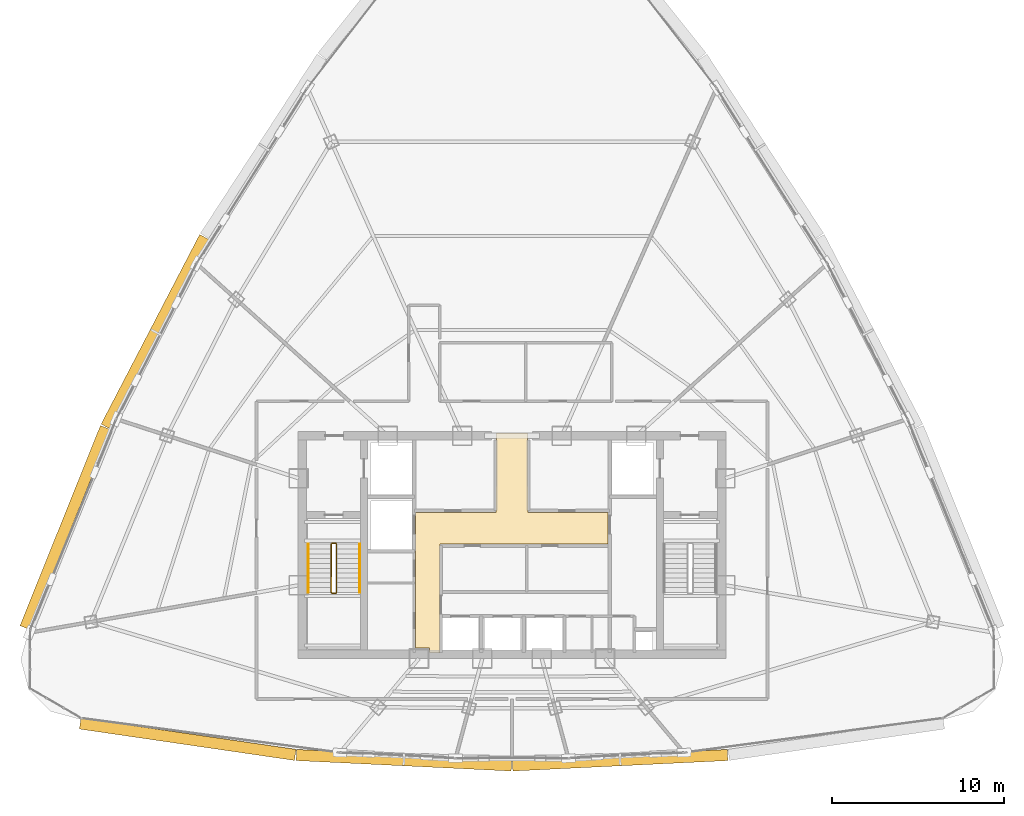
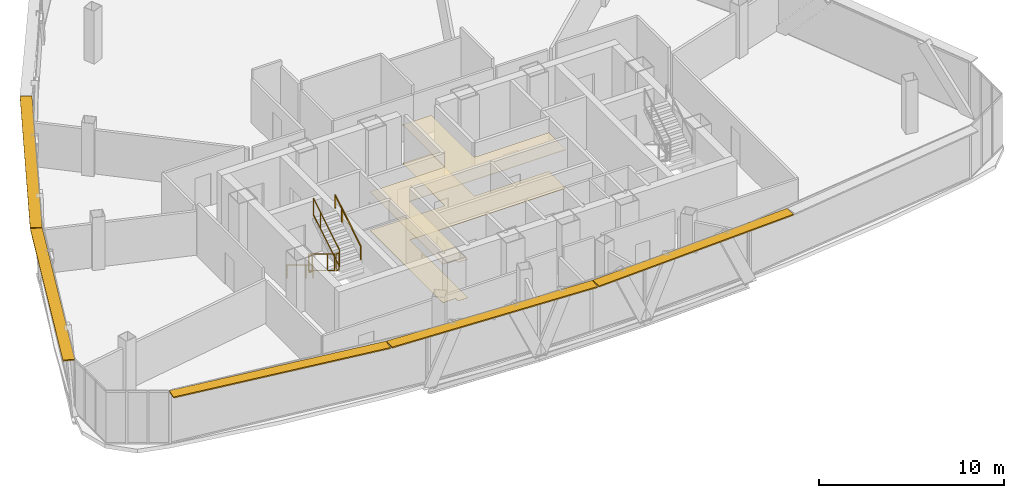
# One storey, part 26 of 28: 6 railings, 5 shading devices, 2 coverings.
"""IFC4 building model written with IfcOpenShell, lengths in metres."""

from ifc_helpers import new_model, si_unit, direction, frame, origin, origin_2d, place, context, subcontext, project, spatial, polyline, rectangle, outline, extrude, source, transform, mapped, material, layer, layer_set, type_object, element, save


model = new_model("IFC4")

# Units and contexts
model_context = context("Model", 3, precision=1e-05, world=origin(), true_north=direction((0.0, 1.0)))
body_context = subcontext(model_context, "Body", "Model", "MODEL_VIEW")
ifc_project = project(units=[si_unit("LENGTHUNIT", "METRE"), si_unit("AREAUNIT", "SQUARE_METRE"), si_unit("VOLUMEUNIT", "CUBIC_METRE"), si_unit("PLANEANGLEUNIT", "RADIAN"), si_unit("MASSUNIT", "GRAM", prefix="KILO"), si_unit("THERMODYNAMICTEMPERATUREUNIT", "KELVIN"), si_unit("POWERUNIT", "WATT")], contexts=[model_context])

# Site, building, storey
site_placement = place(None, origin())
site = spatial("IfcSite", under=ifc_project, at=site_placement, CompositionType="ELEMENT")
building_placement = place(site_placement, origin())
building = spatial("IfcBuilding", under=site, at=building_placement, Name="Yunzhuo Pagoda Commons", CompositionType="ELEMENT")
storey_placement = place(building_placement, frame((0.0, 0.0, 336.760009765625)))
storey = spatial("IfcBuildingStorey", under=building, at=storey_placement, Name="L84", CompositionType="ELEMENT", Elevation=336.760009765625)

# Coverings
ifc_material_1 = material(Name="Micro-perforated metal baffle ceiling")
ifc_layer_1 = layer(ifc_material_1, 0.034912109375)
ifc_layer_set_1 = layer_set([ifc_layer_1], Name="Micro-perforated metal baffle ceiling")
covering_type_1 = type_object("IfcCoveringType", Name="COV-CL3 Ceiling 35", PredefinedType="CEILING", material=ifc_layer_set_1)
covering_1_placement = place(storey_placement, frame((0.0, 0.0, 2.5400390625)))
element("IfcCovering", 1, at=covering_1_placement, inside=storey, type_object=covering_type_1, Name="L84 lift lobby acoustic ceiling", PredefinedType="CEILING", context=body_context, shape_type="SweptSolid", body=[
    extrude(outline(polyline([(42.39990234375, 35.75), (47.080078125, 35.75), (47.080078125, 37.25), (47.10009765625, 37.25), (47.10009765625, 40.35009765625), (48.89990234375, 40.35009765625), (48.89990234375, 37.25), (48.919921875, 37.25), (48.919921875, 35.75), (53.580078125, 35.75), (53.580078125, 33.89990234375), (43.820068359375, 33.89990234375), (43.820068359375, 27.60009765625), (43.207763671875, 27.60009765625), (43.207763671875, 27.85009765625), (43.201904296875, 27.864013671875), (43.187744140625, 27.8701171875), (42.39990234375, 27.8701171875), (42.39990234375, 33.89990234375), (42.39990234375, 35.75)])), origin(), (0.0, 0.0, 1.0), 0.034912109375),
])
ifc_material_2 = material(Name="Resilient acoustic studio flooring")
ifc_layer_2 = layer(ifc_material_2, 0.01806640625)
ifc_layer_set_2 = layer_set([ifc_layer_2], Name="Resilient acoustic studio flooring")
covering_type_2 = type_object("IfcCoveringType", Name="COV-FL3 Flooring 18", PredefinedType="FLOORING", material=ifc_layer_set_2)
covering_2_placement = place(storey_placement, origin())
element("IfcCovering", 2, at=covering_2_placement, inside=storey, type_object=covering_type_2, Name="L84 lift lobby flooring", PredefinedType="FLOORING", context=body_context, shape_type="SweptSolid", body=[
    extrude(outline(polyline([(42.39990234375, 35.75), (47.080078125, 35.75), (47.080078125, 37.25), (47.10009765625, 37.25), (47.10009765625, 40.35009765625), (48.89990234375, 40.35009765625), (48.89990234375, 37.25), (48.919921875, 37.25), (48.919921875, 35.75), (53.580078125, 35.75), (53.580078125, 33.89990234375), (43.820068359375, 33.89990234375), (43.820068359375, 27.60009765625), (43.207763671875, 27.60009765625), (43.207763671875, 27.85009765625), (43.201904296875, 27.864013671875), (43.187744140625, 27.8701171875), (42.39990234375, 27.8701171875), (42.39990234375, 33.89990234375), (42.39990234375, 35.75)])), origin(), (0.0, 0.0, 1.0), 0.01806640625),
])

# Railings
ifc_material_3 = material(Name="Anodized aluminium 6063-T6", Category="aluminium")
railing_type_1 = type_object("IfcRailingType", Name="GR-ST1 Stair Well Guardrail 1150", PredefinedType="GUARDRAIL", material=ifc_material_3)
railing_1_placement = place(storey_placement, frame((37.5, 33.89990234375, 0.17041015625)))
element("IfcRailing", 3, at=railing_1_placement, inside=storey, type_object=railing_type_1, Name="L84 ST1 stair guard 1", PredefinedType="GUARDRAIL", context=body_context, shape_type="SweptSolid", body=[
    extrude(rectangle(XDim=0.048095703125, YDim=0.048095703125, at=origin_2d()), frame((0.0, 0.0, 1.1259765625), z_axis=(0.0, -0.854149651119, 0.520027281489), x_axis=(1.0, 0.0, 0.0)), (0.0, 0.0, 1.0), 3.27783203125),
    extrude(rectangle(XDim=0.048095703125, YDim=0.048095703125, at=origin_2d()), frame((0.0, 0.0, 0.02392578125), z_axis=(0.0, -0.854149651119, 0.520027281489), x_axis=(1.0, 0.0, 0.0)), (0.0, 0.0, 1.0), 3.27783203125),
    extrude(rectangle(XDim=0.0419921875, YDim=0.0419921875, at=origin_2d()), origin(), (0.0, 0.0, 1.0), 1.101806640625),
    extrude(rectangle(XDim=0.0419921875, YDim=0.0419921875, at=origin_2d()), frame((0.0, -2.050048828125, 1.248046875)), (0.0, 0.0, 1.0), 1.101806640625),
    extrude(rectangle(XDim=0.0419921875, YDim=0.0419921875, at=origin_2d()), frame((0.0, -2.7998046875, 1.70458984375)), (0.0, 0.0, 1.0), 1.101806640625),
])
railing_2_placement = place(storey_placement, frame((37.550048828125, 31.050048828125, 1.875)))
element("IfcRailing", 4, at=railing_2_placement, inside=storey, type_object=railing_type_1, Name="L84 ST1 stair guard 2", PredefinedType="GUARDRAIL", context=body_context, shape_type="SweptSolid", body=[
    extrude(rectangle(XDim=0.048095703125, YDim=0.048095703125, at=origin_2d()), frame((0.0, 0.0, 1.1259765625), z_axis=(1.0, 0.0, 0.0), x_axis=(0.0, 1.0, 0.0)), (0.0, 0.0, 1.0), 0.199951171875),
    extrude(rectangle(XDim=0.048095703125, YDim=0.048095703125, at=origin_2d()), frame((0.0, 0.0, 0.02392578125), z_axis=(1.0, 0.0, 0.0), x_axis=(0.0, 1.0, 0.0)), (0.0, 0.0, 1.0), 0.199951171875),
    extrude(rectangle(XDim=0.0419921875, YDim=0.0419921875, at=origin_2d()), origin(), (0.0, 0.0, 1.0), 1.101806640625),
    extrude(rectangle(XDim=0.0419921875, YDim=0.0419921875, at=origin_2d()), frame((0.199951171875, 0.0, 0.0)), (0.0, 0.0, 1.0), 1.101806640625),
])
railing_3_placement = place(storey_placement, frame((37.800048828125, 31.10009765625, 2.04541015625)))
element("IfcRailing", 5, at=railing_3_placement, inside=storey, type_object=railing_type_1, Name="L84 ST1 stair guard 3", PredefinedType="GUARDRAIL", context=body_context, shape_type="SweptSolid", body=[
    extrude(rectangle(XDim=0.048095703125, YDim=0.048095703125, at=origin_2d()), frame((0.0, 0.0, 1.1259765625), z_axis=(0.0, 0.854149651119, 0.520027281489), x_axis=(-1.0, 0.0, 0.0)), (0.0, 0.0, 1.0), 3.27783203125),
    extrude(rectangle(XDim=0.048095703125, YDim=0.048095703125, at=origin_2d()), frame((0.0, 0.0, 0.02392578125), z_axis=(0.0, 0.854149651119, 0.520027281489), x_axis=(-1.0, 0.0, 0.0)), (0.0, 0.0, 1.0), 3.27783203125),
    extrude(rectangle(XDim=0.0419921875, YDim=0.0419921875, at=origin_2d()), origin(), (0.0, 0.0, 1.0), 1.101806640625),
    extrude(rectangle(XDim=0.0419921875, YDim=0.0419921875, at=origin_2d()), frame((0.0, 2.050048828125, 1.248046875)), (0.0, 0.0, 1.0), 1.101806640625),
    extrude(rectangle(XDim=0.0419921875, YDim=0.0419921875, at=origin_2d()), frame((0.0, 2.7998046875, 1.70458984375)), (0.0, 0.0, 1.0), 1.101806640625),
])
railing_4_placement = place(storey_placement, frame((37.550048828125, 33.949951171875, 0.0)))
element("IfcRailing", 6, at=railing_4_placement, inside=storey, type_object=railing_type_1, Name="L84 ST1 stair guard 4", PredefinedType="GUARDRAIL", context=body_context, shape_type="SweptSolid", body=[
    extrude(rectangle(XDim=0.048095703125, YDim=0.048095703125, at=origin_2d()), frame((0.0, 0.0, 1.1259765625), z_axis=(1.0, 0.0, 0.0), x_axis=(0.0, 1.0, 0.0)), (0.0, 0.0, 1.0), 0.199951171875),
    extrude(rectangle(XDim=0.048095703125, YDim=0.048095703125, at=origin_2d()), frame((0.0, 0.0, 0.02392578125), z_axis=(1.0, 0.0, 0.0), x_axis=(0.0, 1.0, 0.0)), (0.0, 0.0, 1.0), 0.199951171875),
    extrude(rectangle(XDim=0.0419921875, YDim=0.0419921875, at=origin_2d()), origin(), (0.0, 0.0, 1.0), 1.101806640625),
    extrude(rectangle(XDim=0.0419921875, YDim=0.0419921875, at=origin_2d()), frame((0.199951171875, 0.0, 0.0)), (0.0, 0.0, 1.0), 1.101806640625),
])
railing_type_2 = type_object("IfcRailingType", Name="HR-ST1 Stair Handrail 900", PredefinedType="HANDRAIL", material=ifc_material_3)
railing_5_placement = place(storey_placement, frame((36.14990234375, 33.89990234375, 0.17041015625)))
element("IfcRailing", 7, at=railing_5_placement, inside=storey, type_object=railing_type_2, Name="L84 ST1 stair handrail 1", PredefinedType="HANDRAIL", context=body_context, shape_type="SweptSolid", body=[
    extrude(rectangle(XDim=0.048095703125, YDim=0.048095703125, at=origin_2d()), frame((0.0, 0.0, 0.8759765625), z_axis=(0.0, -0.854149651119, 0.520027281489), x_axis=(1.0, 0.0, 0.0)), (0.0, 0.0, 1.0), 3.27783203125),
    extrude(rectangle(XDim=0.0419921875, YDim=0.0419921875, at=origin_2d()), origin(), (0.0, 0.0, 1.0), 0.851806640625),
    extrude(rectangle(XDim=0.0419921875, YDim=0.0419921875, at=origin_2d()), frame((0.0, -2.050048828125, 1.248046875)), (0.0, 0.0, 1.0), 0.851806640625),
    extrude(rectangle(XDim=0.0419921875, YDim=0.0419921875, at=origin_2d()), frame((0.0, -2.7998046875, 1.70458984375)), (0.0, 0.0, 1.0), 0.851806640625),
])
railing_6_placement = place(storey_placement, frame((39.14990234375, 31.10009765625, 2.04541015625)))
element("IfcRailing", 8, at=railing_6_placement, inside=storey, type_object=railing_type_2, Name="L84 ST1 stair handrail 2", PredefinedType="HANDRAIL", context=body_context, shape_type="SweptSolid", body=[
    extrude(rectangle(XDim=0.048095703125, YDim=0.048095703125, at=origin_2d()), frame((0.0, 0.0, 0.8759765625), z_axis=(0.0, 0.854149651119, 0.520027281489), x_axis=(-1.0, 0.0, 0.0)), (0.0, 0.0, 1.0), 3.27783203125),
    extrude(rectangle(XDim=0.0419921875, YDim=0.0419921875, at=origin_2d()), origin(), (0.0, 0.0, 1.0), 0.851806640625),
    extrude(rectangle(XDim=0.0419921875, YDim=0.0419921875, at=origin_2d()), frame((0.0, 2.050048828125, 1.248046875)), (0.0, 0.0, 1.0), 0.851806640625),
    extrude(rectangle(XDim=0.0419921875, YDim=0.0419921875, at=origin_2d()), frame((0.0, 2.7998046875, 1.70458984375)), (0.0, 0.0, 1.0), 0.851806640625),
])

# Shading devices
ifc_layer_3 = layer(ifc_material_3, 0.080078125)
ifc_layer_set_3 = layer_set([ifc_layer_3], Name="Anodized aluminium 6063-T6")
shading_device_type = type_object("IfcShadingDeviceType", Name="SH-SUN1 Pagoda Horizontal Sunshade Eave 650", PredefinedType="USERDEFINED", material=ifc_layer_set_3)
shared_shape_1 = source(origin(), body_context, "Body", "SweptSolid", [
    extrude(rectangle(XDim=12.63623046875, YDim=0.64990234375, at=origin_2d()), origin(), (0.0, 0.0, 1.0), 0.080078125),
])
shading_device_1_placement = place(storey_placement, frame((29.150390625, 22.563720703125, 3.409912109375), z_axis=(0.0, 0.0, 1.0), x_axis=(0.989510666697, -0.144459823108, 0.0)))
element("IfcShadingDevice", 9, at=shading_device_1_placement, inside=storey, type_object=shading_device_type, Name="L84 horizontal pagoda sunshade eave F1.1", ObjectType="SUNSHADE", PredefinedType="USERDEFINED", context=body_context, shape_type="MappedRepresentation", body=[
    mapped(shared_shape_1, transform((0.0, 0.0, 0.0), scale=1.0)),
])
shared_shape_2 = source(origin(), body_context, "Body", "SweptSolid", [
    extrude(rectangle(XDim=12.51806640625, YDim=0.64990234375, at=origin_2d()), origin(), (0.0, 0.0, 1.0), 0.080078125),
])
for number, where, z_axis, x_axis, name in (
    (10, (41.716796875, 21.3408203125, 3.409912109375), (0.0, 0.0, 1.0), (0.998818043775, -0.04860571396, 0.0), "L84 horizontal pagoda sunshade eave F1.2"),
    (11, (54.283203125, 21.3408203125, 3.409912109375), (0.0, 0.0, 1.0), (0.998818043775, 0.04860571396, 0.0), "L84 horizontal pagoda sunshade eave F1.3"),
):
    element("IfcShadingDevice", number, at=place(storey_placement, frame(where, z_axis=z_axis, x_axis=x_axis)), inside=storey, type_object=shading_device_type, Name=name, ObjectType="SUNSHADE", PredefinedType="USERDEFINED", context=body_context, shape_type="MappedRepresentation", body=[
        mapped(shared_shape_2, transform((0.0, 0.0, 0.0), scale=1.0)),
    ])
shared_shape_3 = source(origin(), body_context, "Body", "SweptSolid", [
    extrude(rectangle(XDim=12.534423828125, YDim=0.64990234375, at=origin_2d()), origin(), (0.0, 0.0, 1.0), 0.080078125),
])
shading_device_2_placement = place(storey_placement, frame((22.03955078125, 34.8583984375, 3.409912109375), z_axis=(0.0, 0.0, 1.0), x_axis=(-0.372987782576, -0.927836253899, 0.0)))
element("IfcShadingDevice", 12, at=shading_device_2_placement, inside=storey, type_object=shading_device_type, Name="L84 horizontal pagoda sunshade eave F3.4", ObjectType="SUNSHADE", PredefinedType="USERDEFINED", context=body_context, shape_type="MappedRepresentation", body=[
    mapped(shared_shape_3, transform((0.0, 0.0, 0.0), scale=1.0)),
])
shared_shape_4 = source(origin(), body_context, "Body", "SweptSolid", [
    extrude(rectangle(XDim=12.41552734375, YDim=0.64990234375, at=origin_2d()), origin(), (0.0, 0.0, 1.0), 0.080078125),
])
shading_device_3_placement = place(storey_placement, frame((27.2666015625, 46.239013671875, 3.409912109375), z_axis=(0.0, 0.0, 1.0), x_axis=(-0.461206683033, -0.88729273384, 0.0)))
element("IfcShadingDevice", 13, at=shading_device_3_placement, inside=storey, type_object=shading_device_type, Name="L84 horizontal pagoda sunshade eave F3.3", ObjectType="SUNSHADE", PredefinedType="USERDEFINED", context=body_context, shape_type="MappedRepresentation", body=[
    mapped(shared_shape_4, transform((0.0, 0.0, 0.0), scale=1.0)),
])

save(model, "model.ifc")
